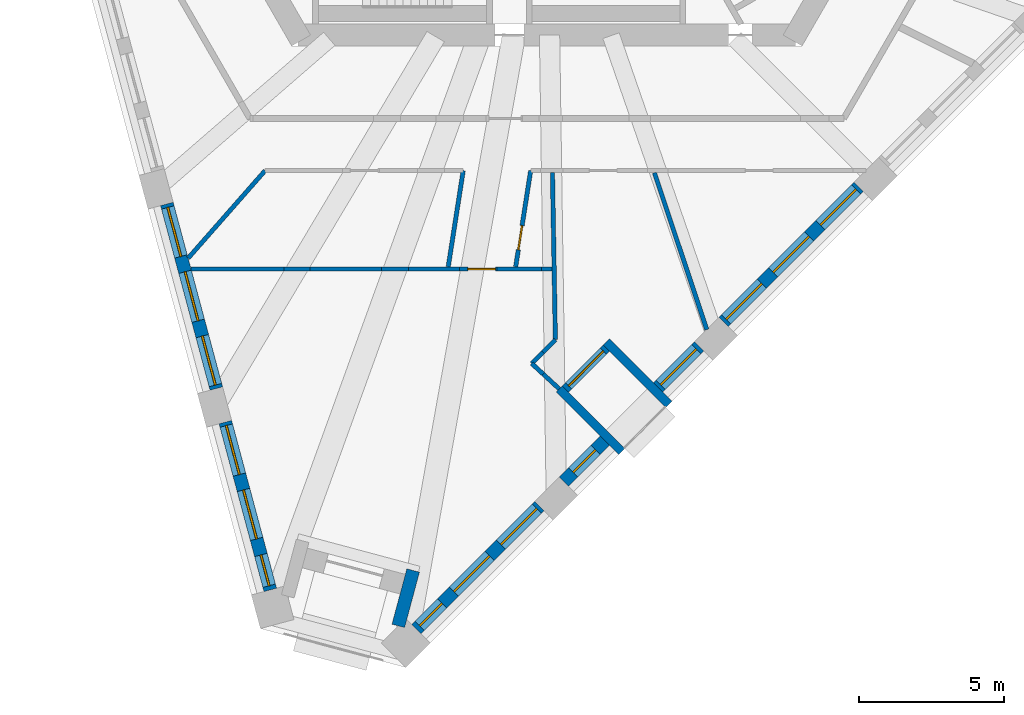
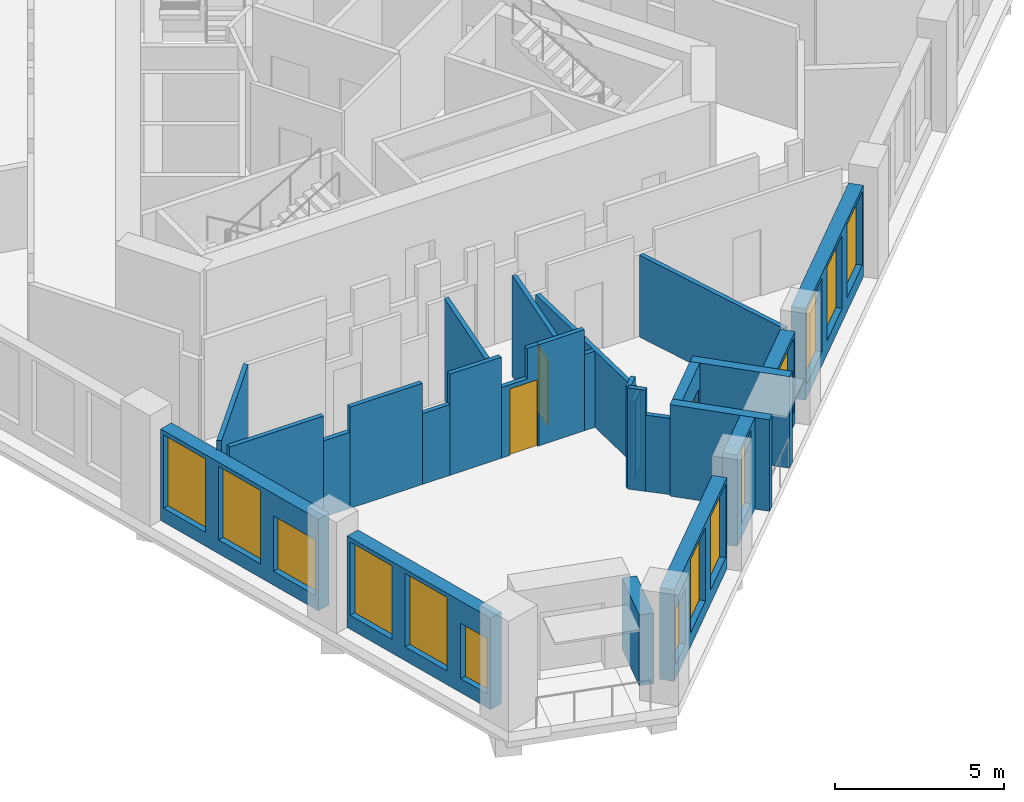
# One storey, part 2 of 13: 27 walls, 14 windows, 3 doors, 17 openings.
"""IFC4 building model written with IfcOpenShell, lengths in metres."""

from ifc_helpers import new_model, si_unit, direction, frame, frame_2d, origin, place, context, subcontext, project, spatial, polyline, rectangle, outline, extrude, material, layer, layer_set, type_object, element, fill, save


model = new_model("IFC4")

# Units and contexts
model_context = context("Model", 3, precision=1e-05, world=origin(), true_north=direction((0.0, 1.0)))
body_context = subcontext(model_context, "Body", "Model", "MODEL_VIEW")
ifc_project = project(units=[si_unit("LENGTHUNIT", "METRE"), si_unit("AREAUNIT", "SQUARE_METRE"), si_unit("VOLUMEUNIT", "CUBIC_METRE"), si_unit("PLANEANGLEUNIT", "RADIAN"), si_unit("MASSUNIT", "GRAM", prefix="KILO")], contexts=[model_context])

# Site, building, storey
site_placement = place(None, origin())
site = spatial("IfcSite", under=ifc_project, at=site_placement, CompositionType="ELEMENT")
building_placement = place(site_placement, origin())
building = spatial("IfcBuilding", under=site, at=building_placement, Name="Tramontana Tower", CompositionType="ELEMENT")
storey_placement = place(building_placement, frame((0.0, 0.0, 224.0)))
storey = spatial("IfcBuildingStorey", under=building, at=storey_placement, Name="L52", CompositionType="ELEMENT", Elevation=224.0)

# Wall, openings, windows
ifc_material_1 = material(Name="Precast concrete 60 MPa", Category="concrete")
ifc_layer_1 = layer(ifc_material_1, 0.449951171875)
ifc_layer_set_1 = layer_set([ifc_layer_1], Name="Precast concrete 60 MPa, 450 mm")
wall_type_1 = type_object("IfcWallType", Name="EW1 Stone-faced precast wall 450", PredefinedType="SOLIDWALL", material=ifc_layer_set_1)
wall_1_placement = place(storey_placement, frame((-13.11328125, -12.2041015625, 0.0), z_axis=(0.0, 0.0, 1.0), x_axis=(0.258835402268, -0.965921443251, 0.0)))
wall_1 = element("IfcWall", 1, at=wall_1_placement, inside=storey, type_object=wall_type_1, Name="External wall L52 face 0 bay 5", PredefinedType="SOLIDWALL", context=body_context, shape_type="SweptSolid", body=[
    extrude(rectangle(XDim=6.593994140625, YDim=0.449951171875, at=frame_2d((3.296875, 0.0))), origin(), (0.0, 0.0, 1.0), 3.300048828125),
])
opening_1_placement = place(wall_1_placement, frame((0.1240234375, 0.0, 0.5)))
opening_1 = element("IfcOpeningElement", 2, at=opening_1_placement, cuts=wall_1, Name="Opening M2", PredefinedType="OPENING", context=body_context, shape_type="SweptSolid", body=[
    extrude(rectangle(XDim=1.75, YDim=2.64990234375, at=frame_2d((0.875, 1.324951171875))), frame((0.0, 0.23486328125, 0.0), z_axis=(0.0, -1.0, 0.0), x_axis=(1.0, 0.0, 0.0)), (0.0, 0.0, 1.0), 0.469970703125),
])
opening_2_placement = place(wall_1_placement, frame((2.422119140625, 0.0, 0.5)))
opening_2 = element("IfcOpeningElement", 3, at=opening_2_placement, cuts=wall_1, Name="Opening M2", PredefinedType="OPENING", context=body_context, shape_type="SweptSolid", body=[
    extrude(rectangle(XDim=1.75, YDim=2.64990234375, at=frame_2d((0.875, 1.324951171875))), frame((0.0, 0.23486328125, 0.0), z_axis=(0.0, -1.0, 0.0), x_axis=(1.0, 0.0, 0.0)), (0.0, 0.0, 1.0), 0.469970703125),
])
opening_3_placement = place(wall_1_placement, frame((4.72021484375, 0.0, 0.5)))
opening_3 = element("IfcOpeningElement", 4, at=opening_3_placement, cuts=wall_1, Name="Opening M2L", PredefinedType="OPENING", context=body_context, shape_type="SweptSolid", body=[
    extrude(rectangle(XDim=1.75, YDim=2.0, at=frame_2d((0.875, 1.0))), frame((0.0, 0.23486328125, 0.0), z_axis=(0.0, -1.0, 0.0), x_axis=(1.0, 0.0, 0.0)), (0.0, 0.0, 1.0), 0.469970703125),
])
ifc_material_2 = material(Name="Aluminum frame, double glazing unit", Category="aluminium")
window_type_1 = type_object("IfcWindowType", Name="M2 Window 1.75 x 2.65", PartitioningType="SINGLE_PANEL", PredefinedType="WINDOW", material=ifc_material_2)
window_1_placement = place(opening_1_placement, origin())
window_1 = element("IfcWindow", 5, at=window_1_placement, inside=storey, type_object=window_type_1, Name="Window M2 L52 face 0 module 13", OverallHeight=2.64990234375, OverallWidth=1.75, PartitioningType="SINGLE_PANEL", PredefinedType="WINDOW", context=body_context, shape_type="SweptSolid", body=[
    extrude(rectangle(XDim=1.75, YDim=2.64990234375, at=frame_2d((0.875, 1.324951171875))), frame((0.0, 0.030029296875, 0.0), z_axis=(0.0, -1.0, 0.0), x_axis=(1.0, 0.0, 0.0)), (0.0, 0.0, 1.0), 0.06005859375),
])
fill(opening_1, window_1)
window_2_placement = place(opening_2_placement, origin())
window_2 = element("IfcWindow", 6, at=window_2_placement, inside=storey, type_object=window_type_1, Name="Window M2 L52 face 0 module 14", OverallHeight=2.64990234375, OverallWidth=1.75, PartitioningType="SINGLE_PANEL", PredefinedType="WINDOW", context=body_context, shape_type="SweptSolid", body=[
    extrude(rectangle(XDim=1.75, YDim=2.64990234375, at=frame_2d((0.875, 1.324951171875))), frame((0.0, 0.030029296875, 0.0), z_axis=(0.0, -1.0, 0.0), x_axis=(1.0, 0.0, 0.0)), (0.0, 0.0, 1.0), 0.06005859375),
])
fill(opening_2, window_2)
ifc_material_3 = material(Name="Aluminum frame, double glazing unit", Category="aluminium")
window_type_2 = type_object("IfcWindowType", Name="M2L Window 1.75 x 2", PartitioningType="SINGLE_PANEL", PredefinedType="WINDOW", material=ifc_material_3)
window_3_placement = place(opening_3_placement, origin())
window_3 = element("IfcWindow", 7, at=window_3_placement, inside=storey, type_object=window_type_2, Name="Window M2L L52 face 0 module 15", OverallHeight=2.0, OverallWidth=1.75, PartitioningType="SINGLE_PANEL", PredefinedType="WINDOW", context=body_context, shape_type="SweptSolid", body=[
    extrude(rectangle(XDim=1.75, YDim=2.0, at=frame_2d((0.875, 1.0))), frame((0.0, 0.030029296875, 0.0), z_axis=(0.0, -1.0, 0.0), x_axis=(1.0, 0.0, 0.0)), (0.0, 0.0, 1.0), 0.06005859375),
])
fill(opening_3, window_3)

wall_2_placement = place(storey_placement, frame((-11.095947265625, -19.732666015625, 0.0), z_axis=(0.0, 0.0, 1.0), x_axis=(0.258831089404, -0.965922598948, 0.0)))
wall_2 = element("IfcWall", 8, at=wall_2_placement, inside=storey, type_object=wall_type_1, Name="External wall L52 face 0 bay 6", PredefinedType="SOLIDWALL", context=body_context, shape_type="SweptSolid", body=[
    extrude(rectangle(XDim=5.994384765625, YDim=0.449951171875, at=frame_2d((2.9970703125, 0.0))), origin(), (0.0, 0.0, 1.0), 3.300048828125),
])
opening_4_placement = place(wall_2_placement, frame((0.1240234375, 0.0, 0.5)))
opening_4 = element("IfcOpeningElement", 9, at=opening_4_placement, cuts=wall_2, Name="Opening M2", PredefinedType="OPENING", context=body_context, shape_type="SweptSolid", body=[
    extrude(rectangle(XDim=1.75, YDim=2.64990234375, at=frame_2d((0.875, 1.324951171875))), frame((0.0, 0.23486328125, 0.0), z_axis=(0.0, -1.0, 0.0), x_axis=(1.0, 0.0, 0.0)), (0.0, 0.0, 1.0), 0.469970703125),
])
opening_5_placement = place(wall_2_placement, frame((2.422119140625, 0.0, 0.5)))
opening_5 = element("IfcOpeningElement", 10, at=opening_5_placement, cuts=wall_2, Name="Opening M2", PredefinedType="OPENING", context=body_context, shape_type="SweptSolid", body=[
    extrude(rectangle(XDim=1.75, YDim=2.64990234375, at=frame_2d((0.875, 1.324951171875))), frame((0.0, 0.23486328125, 0.0), z_axis=(0.0, -1.0, 0.0), x_axis=(1.0, 0.0, 0.0)), (0.0, 0.0, 1.0), 0.469970703125),
])
opening_6_placement = place(wall_2_placement, frame((4.7451171875, 0.0, 0.5)))
opening_6 = element("IfcOpeningElement", 11, at=opening_6_placement, cuts=wall_2, Name="Opening N2L", PredefinedType="OPENING", context=body_context, shape_type="SweptSolid", body=[
    extrude(rectangle(XDim=1.10009765625, YDim=2.0, at=frame_2d((0.550048828125, 1.0))), frame((0.0, 0.23486328125, 0.0), z_axis=(0.0, -1.0, 0.0), x_axis=(1.0, 0.0, 0.0)), (0.0, 0.0, 1.0), 0.469970703125),
])
window_4_placement = place(opening_4_placement, origin())
window_4 = element("IfcWindow", 12, at=window_4_placement, inside=storey, type_object=window_type_1, Name="Window M2 L52 face 0 module 16", OverallHeight=2.64990234375, OverallWidth=1.75, PartitioningType="SINGLE_PANEL", PredefinedType="WINDOW", context=body_context, shape_type="SweptSolid", body=[
    extrude(rectangle(XDim=1.75, YDim=2.64990234375, at=frame_2d((0.875, 1.324951171875))), frame((0.0, 0.030029296875, 0.0), z_axis=(0.0, -1.0, 0.0), x_axis=(1.0, 0.0, 0.0)), (0.0, 0.0, 1.0), 0.06005859375),
])
fill(opening_4, window_4)
window_5_placement = place(opening_5_placement, origin())
window_5 = element("IfcWindow", 13, at=window_5_placement, inside=storey, type_object=window_type_1, Name="Window M2 L52 face 0 module 17", OverallHeight=2.64990234375, OverallWidth=1.75, PartitioningType="SINGLE_PANEL", PredefinedType="WINDOW", context=body_context, shape_type="SweptSolid", body=[
    extrude(rectangle(XDim=1.75, YDim=2.64990234375, at=frame_2d((0.875, 1.324951171875))), frame((0.0, 0.030029296875, 0.0), z_axis=(0.0, -1.0, 0.0), x_axis=(1.0, 0.0, 0.0)), (0.0, 0.0, 1.0), 0.06005859375),
])
fill(opening_5, window_5)
ifc_material_4 = material(Name="Aluminum frame, double glazing unit", Category="aluminium")
window_type_3 = type_object("IfcWindowType", Name="N2L Window 1.1 x 2", PartitioningType="SINGLE_PANEL", PredefinedType="WINDOW", material=ifc_material_4)
window_6_placement = place(opening_6_placement, origin())
window_6 = element("IfcWindow", 14, at=window_6_placement, inside=storey, type_object=window_type_3, Name="Window N2L L52 face 0 module 18", OverallHeight=2.0, OverallWidth=1.10009765625, PartitioningType="SINGLE_PANEL", PredefinedType="WINDOW", context=body_context, shape_type="SweptSolid", body=[
    extrude(rectangle(XDim=1.10009765625, YDim=2.0, at=frame_2d((0.550048828125, 1.0))), frame((0.0, 0.030029296875, 0.0), z_axis=(0.0, -1.0, 0.0), x_axis=(1.0, 0.0, 0.0)), (0.0, 0.0, 1.0), 0.06005859375),
])
fill(opening_6, window_6)

wall_3_placement = place(storey_placement, frame((-4.49560546875, -26.87548828125, 0.0), z_axis=(0.0, 0.0, 1.0), x_axis=(0.707106781187, 0.707106781187, 0.0)))
wall_3 = element("IfcWall", 15, at=wall_3_placement, inside=storey, type_object=wall_type_1, Name="External wall L52 face 1 bay 1", PredefinedType="SOLIDWALL", context=body_context, shape_type="SweptSolid", body=[
    extrude(rectangle(XDim=5.994140625, YDim=0.449951171875, at=frame_2d((2.9970703125, 0.0))), origin(), (0.0, 0.0, 1.0), 3.300048828125),
])
opening_7_placement = place(wall_3_placement, frame((0.14892578125, 0.0, 0.5)))
opening_7 = element("IfcOpeningElement", 16, at=opening_7_placement, cuts=wall_3, Name="Opening N2L", PredefinedType="OPENING", context=body_context, shape_type="SweptSolid", body=[
    extrude(rectangle(XDim=1.10009765625, YDim=2.0, at=frame_2d((0.550048828125, 1.0))), frame((0.0, 0.23486328125, 0.0), z_axis=(0.0, -1.0, 0.0), x_axis=(1.0, 0.0, 0.0)), (0.0, 0.0, 1.0), 0.469970703125),
])
opening_8_placement = place(wall_3_placement, frame((1.822021484375, 0.0, 0.5)))
opening_8 = element("IfcOpeningElement", 17, at=opening_8_placement, cuts=wall_3, Name="Opening M2", PredefinedType="OPENING", context=body_context, shape_type="SweptSolid", body=[
    extrude(rectangle(XDim=1.75, YDim=2.64990234375, at=frame_2d((0.875, 1.324951171875))), frame((0.0, 0.23486328125, 0.0), z_axis=(0.0, -1.0, 0.0), x_axis=(1.0, 0.0, 0.0)), (0.0, 0.0, 1.0), 0.469970703125),
])
opening_9_placement = place(wall_3_placement, frame((4.1201171875, 0.0, 0.5)))
opening_9 = element("IfcOpeningElement", 18, at=opening_9_placement, cuts=wall_3, Name="Opening M2", PredefinedType="OPENING", context=body_context, shape_type="SweptSolid", body=[
    extrude(rectangle(XDim=1.75, YDim=2.64990234375, at=frame_2d((0.875, 1.324951171875))), frame((0.0, 0.23486328125, 0.0), z_axis=(0.0, -1.0, 0.0), x_axis=(1.0, 0.0, 0.0)), (0.0, 0.0, 1.0), 0.469970703125),
])
window_7_placement = place(opening_8_placement, origin())
window_7 = element("IfcWindow", 19, at=window_7_placement, inside=storey, type_object=window_type_1, Name="Window M2 L52 face 1 module 2", OverallHeight=2.64990234375, OverallWidth=1.75, PartitioningType="SINGLE_PANEL", PredefinedType="WINDOW", context=body_context, shape_type="SweptSolid", body=[
    extrude(rectangle(XDim=1.75, YDim=2.64990234375, at=frame_2d((0.875, 1.324951171875))), frame((0.0, 0.030029296875, 0.0), z_axis=(0.0, -1.0, 0.0), x_axis=(1.0, 0.0, 0.0)), (0.0, 0.0, 1.0), 0.06005859375),
])
fill(opening_8, window_7)
window_8_placement = place(opening_9_placement, origin())
window_8 = element("IfcWindow", 20, at=window_8_placement, inside=storey, type_object=window_type_1, Name="Window M2 L52 face 1 module 3", OverallHeight=2.64990234375, OverallWidth=1.75, PartitioningType="SINGLE_PANEL", PredefinedType="WINDOW", context=body_context, shape_type="SweptSolid", body=[
    extrude(rectangle(XDim=1.75, YDim=2.64990234375, at=frame_2d((0.875, 1.324951171875))), frame((0.0, 0.030029296875, 0.0), z_axis=(0.0, -1.0, 0.0), x_axis=(1.0, 0.0, 0.0)), (0.0, 0.0, 1.0), 0.06005859375),
])
fill(opening_9, window_8)
window_9_placement = place(opening_7_placement, origin())
window_9 = element("IfcWindow", 21, at=window_9_placement, inside=storey, type_object=window_type_3, Name="Window N2L L52 face 1 module 1", OverallHeight=2.0, OverallWidth=1.10009765625, PartitioningType="SINGLE_PANEL", PredefinedType="WINDOW", context=body_context, shape_type="SweptSolid", body=[
    extrude(rectangle(XDim=1.10009765625, YDim=2.0, at=frame_2d((0.550048828125, 1.0))), frame((0.0, 0.030029296875, 0.0), z_axis=(0.0, -1.0, 0.0), x_axis=(1.0, 0.0, 0.0)), (0.0, 0.0, 1.0), 0.06005859375),
])
fill(opening_7, window_9)

# Wall, opening, window
wall_4_placement = place(storey_placement, frame((0.591552734375, -21.788330078125, 0.0), z_axis=(0.0, 0.0, 1.0), x_axis=(0.707106781187, 0.707106781187, 0.0)))
wall_4 = element("IfcWall", 22, at=wall_4_placement, inside=storey, type_object=wall_type_1, Name="External wall L52 face 1 bay 2", PredefinedType="SOLIDWALL", context=body_context, shape_type="SweptSolid", body=[
    extrude(rectangle(XDim=1.998046875, YDim=0.449951171875, at=frame_2d((0.9990234375, 0.0))), origin(), (0.0, 0.0, 1.0), 3.300048828125),
])
opening_10_placement = place(wall_4_placement, frame((0.448974609375, 0.0, 0.5)))
opening_10 = element("IfcOpeningElement", 23, at=opening_10_placement, cuts=wall_4, Name="Opening N2", PredefinedType="OPENING", context=body_context, shape_type="SweptSolid", body=[
    extrude(rectangle(XDim=1.10009765625, YDim=2.64990234375, at=frame_2d((0.550048828125, 1.324951171875))), frame((0.0, 0.23486328125, 0.0), z_axis=(0.0, -1.0, 0.0), x_axis=(1.0, 0.0, 0.0)), (0.0, 0.0, 1.0), 0.469970703125),
])
ifc_material_5 = material(Name="Aluminum frame, double glazing unit", Category="aluminium")
window_type_4 = type_object("IfcWindowType", Name="N2 Window 1.1 x 2.65", PartitioningType="SINGLE_PANEL", PredefinedType="WINDOW", material=ifc_material_5)
window_10_placement = place(opening_10_placement, origin())
window_10 = element("IfcWindow", 24, at=window_10_placement, inside=storey, type_object=window_type_4, Name="Window N2 L52 face 1 module 4", OverallHeight=2.64990234375, OverallWidth=1.10009765625, PartitioningType="SINGLE_PANEL", PredefinedType="WINDOW", context=body_context, shape_type="SweptSolid", body=[
    extrude(rectangle(XDim=1.10009765625, YDim=2.64990234375, at=frame_2d((0.550048828125, 1.324951171875))), frame((0.0, 0.030029296875, 0.0), z_axis=(0.0, -1.0, 0.0), x_axis=(1.0, 0.0, 0.0)), (0.0, 0.0, 1.0), 0.06005859375),
])
fill(opening_10, window_10)

wall_5_placement = place(storey_placement, frame((3.841552734375, -18.538330078125, 0.0), z_axis=(0.0, 0.0, 1.0), x_axis=(0.707106781187, 0.707106781187, 0.0)))
wall_5 = element("IfcWall", 25, at=wall_5_placement, inside=storey, type_object=wall_type_1, Name="External wall L52 face 1 bay 2", PredefinedType="SOLIDWALL", context=body_context, shape_type="SweptSolid", body=[
    extrude(rectangle(XDim=1.998046875, YDim=0.449951171875, at=frame_2d((0.9990234375, 0.0))), origin(), (0.0, 0.0, 1.0), 3.300048828125),
])
opening_11_placement = place(wall_5_placement, frame((0.1240234375, 0.0, 0.5)))
opening_11 = element("IfcOpeningElement", 26, at=opening_11_placement, cuts=wall_5, Name="Opening M2", PredefinedType="OPENING", context=body_context, shape_type="SweptSolid", body=[
    extrude(rectangle(XDim=1.75, YDim=2.64990234375, at=frame_2d((0.875, 1.324951171875))), frame((0.0, 0.23486328125, 0.0), z_axis=(0.0, -1.0, 0.0), x_axis=(1.0, 0.0, 0.0)), (0.0, 0.0, 1.0), 0.469970703125),
])
window_11_placement = place(opening_11_placement, origin())
window_11 = element("IfcWindow", 27, at=window_11_placement, inside=storey, type_object=window_type_1, Name="Window M2 L52 face 1 module 6", OverallHeight=2.64990234375, OverallWidth=1.75, PartitioningType="SINGLE_PANEL", PredefinedType="WINDOW", context=body_context, shape_type="SweptSolid", body=[
    extrude(rectangle(XDim=1.75, YDim=2.64990234375, at=frame_2d((0.875, 1.324951171875))), frame((0.0, 0.030029296875, 0.0), z_axis=(0.0, -1.0, 0.0), x_axis=(1.0, 0.0, 0.0)), (0.0, 0.0, 1.0), 0.06005859375),
])
fill(opening_11, window_11)

# Wall, openings, windows
wall_6_placement = place(storey_placement, frame((6.102783203125, -16.277099609375, 0.0), z_axis=(0.0, 0.0, 1.0), x_axis=(0.707106781187, 0.707106781187, 0.0)))
wall_6 = element("IfcWall", 28, at=wall_6_placement, inside=storey, type_object=wall_type_1, Name="External wall L52 face 1 bay 3", PredefinedType="SOLIDWALL", context=body_context, shape_type="SweptSolid", body=[
    extrude(rectangle(XDim=6.59423828125, YDim=0.449951171875, at=frame_2d((3.297119140625, 0.0))), origin(), (0.0, 0.0, 1.0), 3.300048828125),
])
opening_12_placement = place(wall_6_placement, frame((0.1240234375, 0.0, 0.5)))
opening_12 = element("IfcOpeningElement", 29, at=opening_12_placement, cuts=wall_6, Name="Opening M2", PredefinedType="OPENING", context=body_context, shape_type="SweptSolid", body=[
    extrude(rectangle(XDim=1.75, YDim=2.64990234375, at=frame_2d((0.875, 1.324951171875))), frame((0.0, 0.23486328125, 0.0), z_axis=(0.0, -1.0, 0.0), x_axis=(1.0, 0.0, 0.0)), (0.0, 0.0, 1.0), 0.469970703125),
])
opening_13_placement = place(wall_6_placement, frame((2.422119140625, 0.0, 0.5)))
opening_13 = element("IfcOpeningElement", 30, at=opening_13_placement, cuts=wall_6, Name="Opening M2", PredefinedType="OPENING", context=body_context, shape_type="SweptSolid", body=[
    extrude(rectangle(XDim=1.75, YDim=2.64990234375, at=frame_2d((0.875, 1.324951171875))), frame((0.0, 0.23486328125, 0.0), z_axis=(0.0, -1.0, 0.0), x_axis=(1.0, 0.0, 0.0)), (0.0, 0.0, 1.0), 0.469970703125),
])
opening_14_placement = place(wall_6_placement, frame((4.72021484375, 0.0, 0.5)))
opening_14 = element("IfcOpeningElement", 31, at=opening_14_placement, cuts=wall_6, Name="Opening M2", PredefinedType="OPENING", context=body_context, shape_type="SweptSolid", body=[
    extrude(rectangle(XDim=1.75, YDim=2.64990234375, at=frame_2d((0.875, 1.324951171875))), frame((0.0, 0.23486328125, 0.0), z_axis=(0.0, -1.0, 0.0), x_axis=(1.0, 0.0, 0.0)), (0.0, 0.0, 1.0), 0.469970703125),
])
window_12_placement = place(opening_12_placement, origin())
window_12 = element("IfcWindow", 32, at=window_12_placement, inside=storey, type_object=window_type_1, Name="Window M2 L52 face 1 module 7", OverallHeight=2.64990234375, OverallWidth=1.75, PartitioningType="SINGLE_PANEL", PredefinedType="WINDOW", context=body_context, shape_type="SweptSolid", body=[
    extrude(rectangle(XDim=1.75, YDim=2.64990234375, at=frame_2d((0.875, 1.324951171875))), frame((0.0, 0.030029296875, 0.0), z_axis=(0.0, -1.0, 0.0), x_axis=(1.0, 0.0, 0.0)), (0.0, 0.0, 1.0), 0.06005859375),
])
fill(opening_12, window_12)
window_13_placement = place(opening_13_placement, origin())
window_13 = element("IfcWindow", 33, at=window_13_placement, inside=storey, type_object=window_type_1, Name="Window M2 L52 face 1 module 8", OverallHeight=2.64990234375, OverallWidth=1.75, PartitioningType="SINGLE_PANEL", PredefinedType="WINDOW", context=body_context, shape_type="SweptSolid", body=[
    extrude(rectangle(XDim=1.75, YDim=2.64990234375, at=frame_2d((0.875, 1.324951171875))), frame((0.0, 0.030029296875, 0.0), z_axis=(0.0, -1.0, 0.0), x_axis=(1.0, 0.0, 0.0)), (0.0, 0.0, 1.0), 0.06005859375),
])
fill(opening_13, window_13)
window_14_placement = place(opening_14_placement, origin())
window_14 = element("IfcWindow", 34, at=window_14_placement, inside=storey, type_object=window_type_1, Name="Window M2 L52 face 1 module 9", OverallHeight=2.64990234375, OverallWidth=1.75, PartitioningType="SINGLE_PANEL", PredefinedType="WINDOW", context=body_context, shape_type="SweptSolid", body=[
    extrude(rectangle(XDim=1.75, YDim=2.64990234375, at=frame_2d((0.875, 1.324951171875))), frame((0.0, 0.030029296875, 0.0), z_axis=(0.0, -1.0, 0.0), x_axis=(1.0, 0.0, 0.0)), (0.0, 0.0, 1.0), 0.06005859375),
])
fill(opening_14, window_14)

# Wall
wall_7_placement = place(storey_placement, frame((-5.126708984375, -26.76416015625, 0.0), z_axis=(0.0, 0.0, 1.0), x_axis=(0.258814190615, 0.965927127032, 0.0)))
element("IfcWall", 35, at=wall_7_placement, inside=storey, type_object=wall_type_1, Name="Corner loggia side wall L52 K51l", PredefinedType="SOLIDWALL", context=body_context, shape_type="SweptSolid", body=[
    extrude(rectangle(XDim=1.97900390625, YDim=0.449951171875, at=frame_2d((0.989501953125, 0.0))), origin(), (0.0, 0.0, 1.0), 2.550048828125),
])

# Wall, opening, door
ifc_material_6 = material(Name="Precast concrete 60 MPa", Category="concrete")
ifc_layer_2 = layer(ifc_material_6, 0.300048828125)
ifc_layer_set_2 = layer_set([ifc_layer_2], Name="LW1 Stone-faced loggia wall 300")
wall_type_2 = type_object("IfcWallType", Name="LW1 Stone-faced loggia wall 300", PredefinedType="SOLIDWALL", material=ifc_layer_set_2)
wall_8_placement = place(storey_placement, frame((0.643310546875, -18.590087890625, 0.0), z_axis=(0.0, 0.0, 1.0), x_axis=(0.707106781187, 0.707106781187, 0.0)))
wall_8 = element("IfcWall", 36, at=wall_8_placement, inside=storey, type_object=wall_type_2, Name="Loggia wall L52 G5S1.4", PredefinedType="SOLIDWALL", context=body_context, shape_type="SweptSolid", body=[
    extrude(rectangle(XDim=1.998046875, YDim=0.300048828125, at=frame_2d((0.9990234375, 0.0))), origin(), (0.0, 0.0, 1.0), 3.300048828125),
])
opening_15_placement = place(wall_8_placement, frame((0.14892578125, 0.0, 0.0)))
opening_15 = element("IfcOpeningElement", 37, at=opening_15_placement, cuts=wall_8, Name="Opening BD-5S1-04", PredefinedType="OPENING", context=body_context, shape_type="SweptSolid", body=[
    extrude(rectangle(XDim=1.699951171875, YDim=2.449951171875, at=frame_2d((0.85009765625, 1.22509765625))), frame((0.0, 0.159912109375, 0.0), z_axis=(0.0, -1.0, 0.0), x_axis=(1.0, 0.0, 0.0)), (0.0, 0.0, 1.0), 0.320068359375),
])
ifc_material_7 = material(Name="Aluminum frame, double glazing unit", Category="aluminium")
door_type_1 = type_object("IfcDoorType", Name="BD2 Sliding door 1.7 x 2.45", OperationType="SLIDING_TO_LEFT", PredefinedType="DOOR", material=ifc_material_7)
door_1_placement = place(opening_15_placement, origin())
door_1 = element("IfcDoor", 38, at=door_1_placement, inside=storey, type_object=door_type_1, Name="Loggia door L52 G5S1.4", OperationType="SLIDING_TO_LEFT", OverallHeight=2.449951171875, OverallWidth=1.699951171875, PredefinedType="DOOR", context=body_context, shape_type="SweptSolid", body=[
    extrude(rectangle(XDim=1.699951171875, YDim=2.449951171875, at=frame_2d((0.85009765625, 1.22509765625))), frame((0.0, 0.02490234375, 0.0), z_axis=(0.0, -1.0, 0.0), x_axis=(1.0, 0.0, 0.0)), (0.0, 0.0, 1.0), 0.050048828125),
])
fill(opening_15, door_1)

# Walls
for number, where, z_axis, x_axis, name in (
    (39, (2.587646484375, -20.746826171875, 0.0), (0.0, 0.0, 1.0), (-0.707066755897, 0.707146804211, 0.0), "Loggia return L52 G5S1.4a"),
    (40, (4.212646484375, -19.121826171875, 0.0), (0.0, 0.0, 1.0), (-0.707066755897, 0.707146804211, 0.0), "Loggia return L52 G5S1.4b"),
):
    element("IfcWall", number, at=place(storey_placement, frame(where, z_axis=z_axis, x_axis=x_axis)), inside=storey, type_object=wall_type_2, Name=name, PredefinedType="SOLIDWALL", context=body_context, shape_type="SweptSolid", body=[
        extrude(rectangle(XDim=3.0498046875, YDim=0.300048828125, at=frame_2d((1.52490234375, 0.0))), origin(), (0.0, 0.0, 1.0), 3.300048828125),
    ])
ifc_material_8 = material(Name="Gypsum board partition")
ifc_layer_3 = layer(ifc_material_8, 0.14990234375)
ifc_layer_set_3 = layer_set([ifc_layer_3], Name="PARTITION 150")
wall_type_3 = type_object("IfcWallType", Name="PARTITION 150", PredefinedType="PARTITIONING", material=ifc_layer_set_3)
wall_9_placement = place(storey_placement, frame((-9.72216796875, -11.052001953125, 0.0), z_axis=(0.0, 0.0, 1.0), x_axis=(-0.660358385228, -0.750950599613, 0.0)))
element("IfcWall", 41, at=wall_9_placement, inside=storey, type_object=wall_type_3, Name="Wall v52-pw06", PredefinedType="PARTITIONING", context=body_context, shape_type="SweptSolid", body=[
    extrude(rectangle(XDim=4.0234375, YDim=0.14990234375, at=frame_2d((2.01171875, 0.0))), origin(), (0.0, 0.0, 1.0), 3.64990234375),
])
wall_10_placement = place(storey_placement, frame((-3.40380859375, -14.375, 0.0), z_axis=(0.0, 0.0, 1.0), x_axis=(0.153967004647, 0.98807598973, 0.0)))
element("IfcWall", 42, at=wall_10_placement, inside=storey, type_object=wall_type_3, Name="Wall v52-pw15", PredefinedType="PARTITIONING", context=body_context, shape_type="SweptSolid", body=[
    extrude(rectangle(XDim=3.361572265625, YDim=0.14990234375, at=frame_2d((1.6806640625, 0.0))), origin(), (0.0, 0.0, 1.0), 3.64990234375),
])

# Wall, opening, door
wall_11_placement = place(storey_placement, frame((-0.558349609375, -11.052490234375, 0.0), z_axis=(0.0, 0.0, 1.0), x_axis=(-0.154004754278, -0.988070106652, 0.0)))
wall_11 = element("IfcWall", 43, at=wall_11_placement, inside=storey, type_object=wall_type_3, Name="Wall v52-pw17", PredefinedType="PARTITIONING", context=body_context, shape_type="SweptSolid", body=[
    extrude(rectangle(XDim=3.3623046875, YDim=0.14990234375, at=frame_2d((1.68115234375, 0.0))), origin(), (0.0, 0.0, 1.0), 3.64990234375),
])
opening_16_placement = place(wall_11_placement, frame((1.919921875, 0.0, 0.0)))
opening_16 = element("IfcOpeningElement", 44, at=opening_16_placement, cuts=wall_11, Name="Opening B5C-07", PredefinedType="OPENING", context=body_context, shape_type="SweptSolid", body=[
    extrude(rectangle(XDim=0.85009765625, YDim=2.39990234375, at=frame_2d((0.425048828125, 1.199951171875))), frame((0.0, 0.0849609375, 0.0), z_axis=(0.0, -1.0, 0.0), x_axis=(1.0, 0.0, 0.0)), (0.0, 0.0, 1.0), 0.169921875),
])
ifc_material_9 = material(Name="Painted timber", Category="wood")
door_type_2 = type_object("IfcDoorType", Name="DOOR BATH 850", OperationType="SINGLE_SWING_LEFT", PredefinedType="DOOR", material=ifc_material_9)
door_2_placement = place(opening_16_placement, origin())
door_2 = element("IfcDoor", 45, at=door_2_placement, inside=storey, type_object=door_type_2, Name="Door B5C-07", OperationType="SINGLE_SWING_LEFT", OverallHeight=2.39990234375, OverallWidth=0.85009765625, PredefinedType="DOOR", context=body_context, shape_type="SweptSolid", body=[
    extrude(rectangle(XDim=0.85009765625, YDim=2.39990234375, at=frame_2d((0.425048828125, 1.199951171875))), frame((0.0, 0.02490234375, 0.0), z_axis=(0.0, -1.0, 0.0), x_axis=(1.0, 0.0, 0.0)), (0.0, 0.0, 1.0), 0.050048828125),
])
fill(opening_16, door_2)

# Walls
wall_12_placement = place(storey_placement, frame((-0.5224609375, -17.70751953125, 0.0), z_axis=(0.0, 0.0, 1.0), x_axis=(0.733993003805, -0.67915702924, 0.0)))
element("IfcWall", 46, at=wall_12_placement, inside=storey, type_object=wall_type_3, Name="Wall v52-pw18-0", PredefinedType="PARTITIONING", context=body_context, shape_type="SweptSolid", body=[
    extrude(rectangle(XDim=0.543212890625, YDim=0.14990234375, at=frame_2d((0.271484375, 0.0))), origin(), (0.0, 0.0, 1.0), 3.64990234375),
])
wall_13_placement = place(storey_placement, frame((-0.123779296875, -18.076416015625, 0.0), z_axis=(0.0, 0.0, 1.0), x_axis=(0.733862006867, -0.679298575648, 0.0)))
element("IfcWall", 47, at=wall_13_placement, inside=storey, type_object=wall_type_3, Name="Wall v52-pw18-1", PredefinedType="PARTITIONING", context=body_context, shape_type="SweptSolid", body=[
    extrude(rectangle(XDim=0.756103515625, YDim=0.14990234375, at=frame_2d((0.3779296875, 0.0))), origin(), (0.0, 0.0, 1.0), 2.75),
])
wall_14_placement = place(storey_placement, frame((0.193359375, -11.125, 0.0), z_axis=(0.0, 0.0, 1.0), x_axis=(0.0174067151, -0.999848491657, 0.0)))
element("IfcWall", 48, at=wall_14_placement, inside=storey, type_object=wall_type_3, Name="Wall v52-pw19-0", PredefinedType="PARTITIONING", context=body_context, shape_type="SweptSolid", body=[
    extrude(rectangle(XDim=5.7646484375, YDim=0.14990234375, at=frame_2d((2.88232421875, 0.0))), origin(), (0.0, 0.0, 1.0), 2.75),
])
wall_15_placement = place(storey_placement, frame((0.176025390625, -14.449951171875, 0.0), z_axis=(0.0, 0.0, 1.0), x_axis=(-1.0, 0.0, 0.0)))
element("IfcWall", 49, at=wall_15_placement, inside=storey, type_object=wall_type_3, Name="Wall v52-pw20-0", PredefinedType="PARTITIONING", context=body_context, shape_type="SweptSolid", body=[
    extrude(rectangle(XDim=0.352783203125, YDim=0.14990234375, at=frame_2d((0.17626953125, 0.0))), origin(), (0.0, 0.0, 1.0), 2.75),
])
wall_16_placement = place(storey_placement, frame((-0.1767578125, -14.449951171875, 0.0), z_axis=(0.0, 0.0, 1.0), x_axis=(-1.0, 0.0, 0.0)))
element("IfcWall", 50, at=wall_16_placement, inside=storey, type_object=wall_type_3, Name="Wall v52-pw20-1", PredefinedType="PARTITIONING", context=body_context, shape_type="SweptSolid", body=[
    extrude(rectangle(XDim=1.549560546875, YDim=0.14990234375, at=frame_2d((0.77490234375, 0.0))), origin(), (0.0, 0.0, 1.0), 3.64990234375),
])

# Wall, opening, door
wall_17_placement = place(storey_placement, frame((-1.726318359375, -14.449951171875, 0.0), z_axis=(0.0, 0.0, 1.0), x_axis=(-1.0, 0.0, 0.0)))
wall_17 = element("IfcWall", 51, at=wall_17_placement, inside=storey, type_object=wall_type_3, Name="Wall v52-pw20-2", PredefinedType="PARTITIONING", context=body_context, shape_type="SweptSolid", body=[
    extrude(outline(polyline([(0.0, 0.0), (1.2890625, 0.0), (1.2890625, 2.550048828125), (0.400146484375, 2.550048828125), (0.400146484375, 3.64990234375), (0.0, 3.64990234375), (0.0, 0.0)])), frame((0.0, 0.074951171875, 0.0), z_axis=(0.0, -1.0, 0.0), x_axis=(1.0, 0.0, 0.0)), (0.0, 0.0, 1.0), 0.14990234375),
])
opening_17_placement = place(wall_17_placement, frame((0.050048828125, 0.0, 0.0)))
opening_17 = element("IfcOpeningElement", 52, at=opening_17_placement, cuts=wall_17, Name="Opening B5C-08", PredefinedType="OPENING", context=body_context, shape_type="SweptSolid", body=[
    extrude(rectangle(XDim=0.949951171875, YDim=2.39990234375, at=frame_2d((0.47509765625, 1.199951171875))), frame((0.0, 0.0849609375, 0.0), z_axis=(0.0, -1.0, 0.0), x_axis=(1.0, 0.0, 0.0)), (0.0, 0.0, 1.0), 0.169921875),
])
ifc_material_10 = material(Name="Painted timber", Category="wood")
door_type_3 = type_object("IfcDoorType", Name="DOOR ROOM 950", OperationType="SINGLE_SWING_LEFT", PredefinedType="DOOR", material=ifc_material_10)
door_3_placement = place(opening_17_placement, origin())
door_3 = element("IfcDoor", 53, at=door_3_placement, inside=storey, type_object=door_type_3, Name="Door B5C-08", OperationType="SINGLE_SWING_RIGHT", OverallHeight=2.39990234375, OverallWidth=0.949951171875, PredefinedType="DOOR", context=body_context, shape_type="SweptSolid", body=[
    extrude(rectangle(XDim=0.949951171875, YDim=2.39990234375, at=frame_2d((0.47509765625, 1.199951171875))), frame((0.0, 0.02490234375, 0.0), z_axis=(0.0, -1.0, 0.0), x_axis=(1.0, 0.0, 0.0)), (0.0, 0.0, 1.0), 0.050048828125),
])
fill(opening_17, door_3)

# Walls
wall_18_placement = place(storey_placement, frame((-3.015380859375, -14.449951171875, 0.0), z_axis=(0.0, 0.0, 1.0), x_axis=(-1.0, 0.0, 0.0)))
element("IfcWall", 54, at=wall_18_placement, inside=storey, type_object=wall_type_3, Name="Wall v52-pw20-3", PredefinedType="PARTITIONING", context=body_context, shape_type="SweptSolid", body=[
    extrude(rectangle(XDim=1.75341796875, YDim=0.14990234375, at=frame_2d((0.876708984375, 0.0))), origin(), (0.0, 0.0, 1.0), 3.64990234375),
])
wall_19_placement = place(storey_placement, frame((-4.768798828125, -14.449951171875, 0.0), z_axis=(0.0, 0.0, 1.0), x_axis=(-1.0, 0.0, 0.0)))
element("IfcWall", 55, at=wall_19_placement, inside=storey, type_object=wall_type_3, Name="Wall v52-pw20-4", PredefinedType="PARTITIONING", context=body_context, shape_type="SweptSolid", body=[
    extrude(rectangle(XDim=0.930419921875, YDim=0.14990234375, at=frame_2d((0.46533203125, 0.0))), origin(), (0.0, 0.0, 1.0), 2.550048828125),
])
wall_20_placement = place(storey_placement, frame((-5.69921875, -14.449951171875, 0.0), z_axis=(0.0, 0.0, 1.0), x_axis=(-1.0, 0.0, 0.0)))
element("IfcWall", 56, at=wall_20_placement, inside=storey, type_object=wall_type_3, Name="Wall v52-pw20-5", PredefinedType="PARTITIONING", context=body_context, shape_type="SweptSolid", body=[
    extrude(rectangle(XDim=2.4755859375, YDim=0.14990234375, at=frame_2d((1.23779296875, 0.0))), origin(), (0.0, 0.0, 1.0), 3.64990234375),
])
wall_21_placement = place(storey_placement, frame((-8.1748046875, -14.449951171875, 0.0), z_axis=(0.0, 0.0, 1.0), x_axis=(-1.0, 0.0, 0.0)))
element("IfcWall", 57, at=wall_21_placement, inside=storey, type_object=wall_type_3, Name="Wall v52-pw20-6", PredefinedType="PARTITIONING", context=body_context, shape_type="SweptSolid", body=[
    extrude(rectangle(XDim=0.902587890625, YDim=0.14990234375, at=frame_2d((0.451171875, 0.0))), origin(), (0.0, 0.0, 1.0), 2.75),
])
wall_22_placement = place(storey_placement, frame((-9.077392578125, -14.449951171875, 0.0), z_axis=(0.0, 0.0, 1.0), x_axis=(-1.0, 0.0, 0.0)))
element("IfcWall", 58, at=wall_22_placement, inside=storey, type_object=wall_type_3, Name="Wall v52-pw20-7", PredefinedType="PARTITIONING", context=body_context, shape_type="SweptSolid", body=[
    extrude(rectangle(XDim=3.201171875, YDim=0.14990234375, at=frame_2d((1.6005859375, 0.0))), origin(), (0.0, 0.0, 1.0), 3.64990234375),
])
wall_23_placement = place(storey_placement, frame((0.29345703125, -16.888916015625, 0.0), z_axis=(0.0, 0.0, 1.0), x_axis=(-0.707106781187, -0.707106781187, 0.0)))
element("IfcWall", 59, at=wall_23_placement, inside=storey, type_object=wall_type_3, Name="Wall v52-pw21-0", PredefinedType="PARTITIONING", context=body_context, shape_type="SweptSolid", body=[
    extrude(rectangle(XDim=0.60595703125, YDim=0.14990234375, at=frame_2d((0.302978515625, 0.0))), origin(), (0.0, 0.0, 1.0), 2.75),
])
wall_24_placement = place(storey_placement, frame((-0.135009765625, -17.3173828125, 0.0), z_axis=(0.0, 0.0, 1.0), x_axis=(-0.707106781187, -0.707106781187, 0.0)))
element("IfcWall", 60, at=wall_24_placement, inside=storey, type_object=wall_type_3, Name="Wall v52-pw21-1", PredefinedType="PARTITIONING", context=body_context, shape_type="SweptSolid", body=[
    extrude(rectangle(XDim=0.5478515625, YDim=0.14990234375, at=frame_2d((0.27392578125, 0.0))), origin(), (0.0, 0.0, 1.0), 3.64990234375),
])
wall_25_placement = place(storey_placement, frame((3.7119140625, -11.125, 0.0), z_axis=(0.0, 0.0, 1.0), x_axis=(0.31652272734, -0.948584926655, 0.0)))
element("IfcWall", 61, at=wall_25_placement, inside=storey, type_object=wall_type_3, Name="Wall v52-pw23-0", PredefinedType="PARTITIONING", context=body_context, shape_type="SweptSolid", body=[
    extrude(rectangle(XDim=5.7109375, YDim=0.14990234375, at=frame_2d((2.85546875, 0.0))), origin(), (0.0, 0.0, 1.0), 2.949951171875),
])

save(model, "model.ifc")
